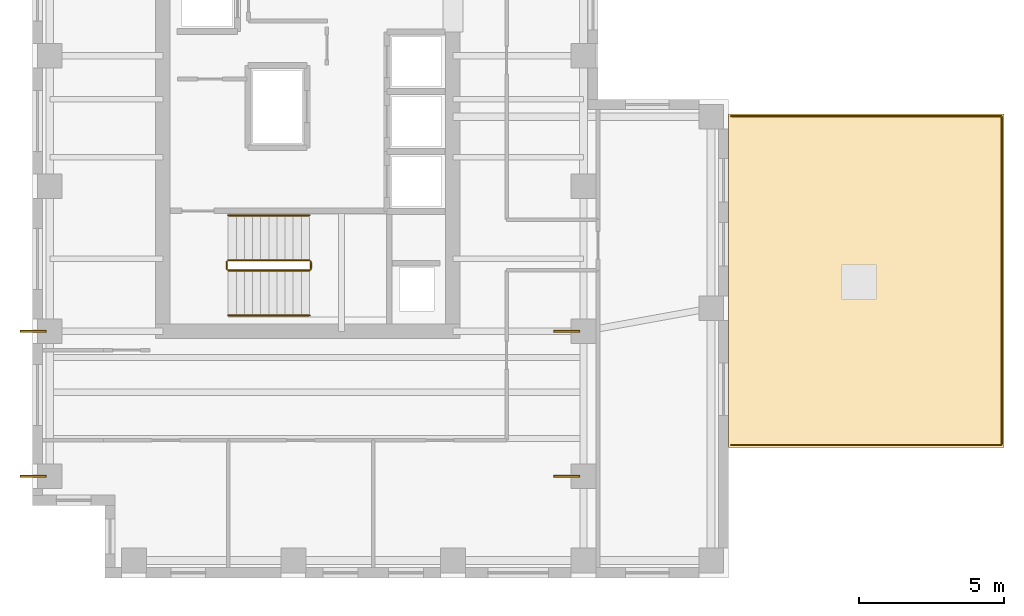
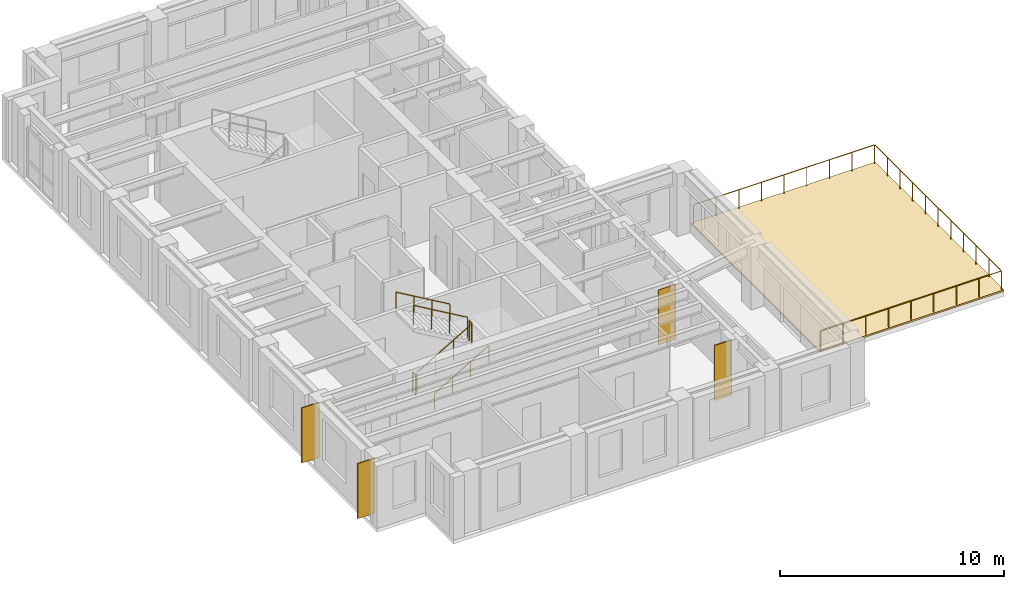
# One storey, part 10 of 11: 7 railings, 5 coverings.
"""IFC4 building model written with IfcOpenShell, lengths in metres."""

import ifcopenshell
import ifcopenshell.guid

model = None  # the IFC model being written
_history = None  # IfcOwnerHistory: only IFC2X3 demands one
_inside = {}  # id of a spatial element -> (the spatial element, [elements in it])
_under = {}  # id of a project, library or spatial element -> (it, [spatial elements below it])
_declared = {}  # id of a project -> (the project, [libraries it declares])
_typed = {}  # id of a type object -> (the type object, [elements of that type])
_made_of = {}  # id of a material, layer set ... -> (it, [elements and type objects made of it])


def new_model(schema):
    """Start an empty IFC model of exactly this schema.

    Asked for "IFC4X3", IfcOpenShell would pick the latest addendum, in which some entities
    have other attributes; the version numbers below select the first issue.
    IFC2X3 requires an IfcOwnerHistory on every rooted entity: one is made here for all.
    """
    global model, _history
    if schema == "IFC4X3":
        model = ifcopenshell.file(schema_version=(4, 3, 0, 0))
    else:
        model = ifcopenshell.file(schema=schema)
    _inside.clear()
    _under.clear()
    _declared.clear()
    _typed.clear()
    _made_of.clear()
    _history = None
    if model.schema == "IFC2X3":
        org = make("IfcOrganization", Name="unknown")
        user = make(
            "IfcPersonAndOrganization",
            ThePerson=make("IfcPerson", FamilyName="unknown"),
            TheOrganization=org,
        )
        app = make(
            "IfcApplication",
            ApplicationDeveloper=org,
            Version="unknown",
            ApplicationFullName="unknown",
            ApplicationIdentifier="unknown",
        )
        _history = make(
            "IfcOwnerHistory",
            OwningUser=user,
            OwningApplication=app,
            ChangeAction="ADDED",
            CreationDate=0,
        )
    return model


def make(cls, **values):
    """One entity of the class cls with the attributes given. An attribute that is None is left unset."""
    return model.create_entity(
        cls, **{name: value for name, value in values.items() if value is not None}
    )


def rooted(cls, **values):
    """An entity with a GlobalId (a new one), such as an element, a storey or a relation."""
    return make(cls, GlobalId=ifcopenshell.guid.new(), OwnerHistory=_history, **values)


def si_unit(unit_type, name, prefix=None):
    """IfcSIUnit, for example si_unit("LENGTHUNIT", "METRE", prefix="MILLI")."""
    return make("IfcSIUnit", UnitType=unit_type, Prefix=prefix, Name=name)


def assignment(units):
    """IfcUnitAssignment: the units of a project."""
    return None if units is None else make("IfcUnitAssignment", Units=units)


def point(xyz):
    """IfcCartesianPoint."""
    return None if xyz is None else make("IfcCartesianPoint", Coordinates=xyz)


def direction(xyz):
    """IfcDirection."""
    return None if xyz is None else make("IfcDirection", DirectionRatios=xyz)


def frame(location, z_axis=None, x_axis=None):
    """IfcAxis2Placement3D, a coordinate frame: its origin and axes. An axis left out is left unset."""
    return make(
        "IfcAxis2Placement3D",
        Location=point(location),
        Axis=direction(z_axis),
        RefDirection=direction(x_axis),
    )


def frame_2d(location, x_axis=None):
    """IfcAxis2Placement2D, a coordinate frame in the plane: its origin and x axis."""
    return make(
        "IfcAxis2Placement2D", Location=point(location), RefDirection=direction(x_axis)
    )


def origin():
    """The frame at (0, 0, 0) with its axes left unset."""
    return frame((0.0, 0.0, 0.0))


def origin_2d():
    """The frame at (0, 0) in the plane with its x axis left unset."""
    return frame_2d((0.0, 0.0))


def place(relative_to, where):
    """IfcLocalPlacement: puts the frame where relative to a parent placement (None: the world)."""
    return make(
        "IfcLocalPlacement", PlacementRelTo=relative_to, RelativePlacement=where
    )


def context(
    kind, dimensions, precision=None, world=None, true_north=None, identifier=None
):
    """IfcGeometricRepresentationContext, for example the 3D "Model" context."""
    return make(
        "IfcGeometricRepresentationContext",
        ContextIdentifier=identifier,
        ContextType=kind,
        CoordinateSpaceDimension=dimensions,
        Precision=precision,
        WorldCoordinateSystem=world,
        TrueNorth=true_north,
    )


def subcontext(parent, identifier, kind, view, scale=None):
    """IfcGeometricRepresentationSubContext, for example "Body" below "Model"."""
    return make(
        "IfcGeometricRepresentationSubContext",
        ContextIdentifier=identifier,
        ContextType=kind,
        ParentContext=parent,
        TargetScale=scale,
        TargetView=view,
    )


def project(units=None, contexts=None):
    """IfcProject with its units and contexts."""
    return rooted(
        "IfcProject",
        Name="project",
        RepresentationContexts=contexts,
        UnitsInContext=assignment(units),
    )


def spatial(cls, under=None, at=None, **own):
    """A site, building, storey or space (cls), placed at a placement, below another one or the project."""
    s = rooted(cls, ObjectPlacement=at, **own)
    if under is not None:
        _under.setdefault(under.id(), (under, []))[1].append(s)
    return s


def polyline(points):
    """IfcPolyline through the points."""
    return make("IfcPolyline", Points=[point(p) for p in points])


def profile(cls, at=None, kind="AREA", **sizes):
    """A parametric profile (cls). Its sizes go by their IFC names, for example OverallWidth=200.0."""
    return make(cls, ProfileType=kind, Position=at, **sizes)


def rectangle(**sizes):
    """IfcRectangleProfileDef."""
    return profile("IfcRectangleProfileDef", **sizes)


def circle(**sizes):
    """IfcCircleProfileDef."""
    return profile("IfcCircleProfileDef", **sizes)


def outline(outer, holes=None, kind="AREA"):
    """IfcArbitraryClosedProfileDef: a profile drawn as a closed curve; with holes, ...WithVoids."""
    if holes is None:
        return make("IfcArbitraryClosedProfileDef", ProfileType=kind, OuterCurve=outer)
    return make(
        "IfcArbitraryProfileDefWithVoids",
        ProfileType=kind,
        OuterCurve=outer,
        InnerCurves=holes,
    )


def extrude(swept, where, along, depth):
    """IfcExtrudedAreaSolid: the profile swept, set in the frame where, extruded along a direction by depth."""
    return make(
        "IfcExtrudedAreaSolid",
        SweptArea=swept,
        Position=where,
        ExtrudedDirection=direction(along),
        Depth=depth,
    )


def shape(context_of_items, identifier, shape_type, items):
    """IfcShapeRepresentation: the items that make up one representation, for example the "Body"."""
    return make(
        "IfcShapeRepresentation",
        ContextOfItems=context_of_items,
        RepresentationIdentifier=identifier,
        RepresentationType=shape_type,
        Items=items,
    )


def source(mapping_origin, context_of_items, identifier, shape_type, items):
    """IfcRepresentationMap: a shape defined once, which mapped items show again and again."""
    return make(
        "IfcRepresentationMap",
        MappingOrigin=mapping_origin,
        MappedRepresentation=shape(context_of_items, identifier, shape_type, items),
    )


def transform(
    local_origin,
    x_axis=None,
    y_axis=None,
    z_axis=None,
    scale=None,
    scale2=None,
    scale3=None,
    uniform=True,
):
    """IfcCartesianTransformationOperator3D, or its non-uniform kind. x_axis, y_axis, z_axis: its Axis1, 2, 3."""
    if uniform:
        return make(
            "IfcCartesianTransformationOperator3D",
            Axis1=direction(x_axis),
            Axis2=direction(y_axis),
            LocalOrigin=point(local_origin),
            Scale=scale,
            Axis3=direction(z_axis),
        )
    return make(
        "IfcCartesianTransformationOperator3DnonUniform",
        Axis1=direction(x_axis),
        Axis2=direction(y_axis),
        LocalOrigin=point(local_origin),
        Scale=scale,
        Axis3=direction(z_axis),
        Scale2=scale2,
        Scale3=scale3,
    )


def mapped(mapping_source, mapping_target):
    """IfcMappedItem: shows the shape of a source again, moved by a transform."""
    return make(
        "IfcMappedItem", MappingSource=mapping_source, MappingTarget=mapping_target
    )


def material(Name=None, Category=None):
    """IfcMaterial."""
    return make("IfcMaterial", Name=Name, Category=Category)


def layer(
    of_material, thickness, ventilated=None, Name=None, Category=None, Priority=None
):
    """IfcMaterialLayer: one layer of a wall or slab, of a material (None: an air gap)."""
    return make(
        "IfcMaterialLayer",
        Material=of_material,
        LayerThickness=thickness,
        IsVentilated=ventilated,
        Name=Name,
        Category=Category,
        Priority=Priority,
    )


def layer_set(layers, Name=None):
    """IfcMaterialLayerSet."""
    return make("IfcMaterialLayerSet", MaterialLayers=layers, LayerSetName=Name)


def made_of(thing, what):
    """Note that an element or type object is made of a material, layer set ...; save() writes the relation."""
    if what is not None:
        _made_of.setdefault(what.id(), (what, []))[1].append(thing)
    return thing


def type_object(cls, material=None, **own):
    """A type object (cls), such as IfcWallType, which elements share."""
    return made_of(rooted(cls, **own), material)


def element(
    cls,
    number,
    at=None,
    inside=None,
    cuts=None,
    type_object=None,
    material=None,
    context=None,
    identifier="Body",
    shape_type=None,
    held_by="IfcProductDefinitionShape",
    body=None,
    shapes=None,
    **own,
):
    """One element of the class cls, such as IfcWall. Its Tag is "e" and its number.

    at: its placement. inside: the storey or other place that contains it. cuts: it is an
    opening in that element (IfcRelVoidsElement). A single representation is given by context,
    identifier, shape_type and body (its items); several are given by shapes. held_by: the class
    of the entity that holds the representations. save() writes the other relations.
    """
    e = rooted(cls, Tag="e%d" % number, ObjectPlacement=at, **own)
    if body is not None:
        shapes = [shape(context, identifier, shape_type, body)]
    if shapes is not None:
        e.Representation = make(held_by, Representations=shapes)
    if inside is not None:
        _inside.setdefault(inside.id(), (inside, []))[1].append(e)
    if cuts is not None:
        rooted(
            "IfcRelVoidsElement", RelatingBuildingElement=cuts, RelatedOpeningElement=e
        )
    if type_object is not None:
        _typed.setdefault(type_object.id(), (type_object, []))[1].append(e)
    return made_of(e, material)


def aggregate(whole, parts):
    """IfcRelAggregates: a whole, such as a stair, and the parts it consists of."""
    return rooted("IfcRelAggregates", RelatingObject=whole, RelatedObjects=parts)


def save(model, path):
    """Write the relations noted so far, then the file.

    IfcRelAggregates (storeys below a building ...), IfcRelContainedInSpatialStructure (elements
    in a storey), IfcRelDefinesByType, IfcRelAssociatesMaterial and IfcRelDeclares: one each for
    every whole, place, type object, material and project.
    """
    for whole, parts in _under.values():
        aggregate(whole, parts)
    for where, things in _inside.values():
        rooted(
            "IfcRelContainedInSpatialStructure",
            RelatedElements=things,
            RelatingStructure=where,
        )
    for kind, things in _typed.values():
        rooted("IfcRelDefinesByType", RelatedObjects=things, RelatingType=kind)
    for what, things in _made_of.values():
        rooted("IfcRelAssociatesMaterial", RelatedObjects=things, RelatingMaterial=what)
    for by, libraries in _declared.values():
        rooted("IfcRelDeclares", RelatingContext=by, RelatedDefinitions=libraries)
    model.write(path)


model = new_model("IFC4")

# Units and contexts
model_context = context("Model", 3, precision=1e-05, world=origin(), true_north=direction((0.0, 1.0)))
body_context = subcontext(model_context, "Body", "Model", "MODEL_VIEW")
ifc_project = project(units=[si_unit("LENGTHUNIT", "METRE"), si_unit("AREAUNIT", "SQUARE_METRE"), si_unit("VOLUMEUNIT", "CUBIC_METRE"), si_unit("PLANEANGLEUNIT", "RADIAN"), si_unit("MASSUNIT", "GRAM", prefix="KILO")], contexts=[model_context])

# Site, building, storey
site_placement = place(None, origin())
site = spatial("IfcSite", under=ifc_project, at=site_placement, CompositionType="ELEMENT")
building_placement = place(site_placement, origin())
building = spatial("IfcBuilding", under=site, at=building_placement, Name="Kharzan Plaza Tower", CompositionType="ELEMENT")
storey_placement = place(building_placement, frame((0.0, 0.0, 262.800048828125)))
storey = spatial("IfcBuildingStorey", under=building, at=storey_placement, Name="L71", CompositionType="ELEMENT", Elevation=262.800048828125)

# Covering
ifc_material_1 = material(Name="Inverted EPDM Waterproofing and Gravel Ballast", Category="membrane")
ifc_layer_1 = layer(ifc_material_1, 0.0849609375)
ifc_layer_set_1 = layer_set([ifc_layer_1], Name="Inverted EPDM Waterproofing and Gravel Ballast")
covering_type_1 = type_object("IfcCoveringType", Name="COV-ROOF-MEMB", PredefinedType="ROOFING", material=ifc_layer_set_1)
covering_placement = place(storey_placement, origin())
element("IfcCovering", 1, at=covering_placement, inside=storey, type_object=covering_type_1, Name="L71 Terrace Waterproofing Covering", PredefinedType="ROOFING", context=body_context, shape_type="SweptSolid", body=[
    extrude(outline(polyline([(24.0, 4.5), (33.5, 4.5), (33.5, 16.0), (24.0, 16.0), (24.0, 4.5)])), origin(), (0.0, 0.0, 1.0), 0.0849609375),
])

# Railings
ifc_material_2 = material(Name="Painted Galvanized Architectural Steel", Category="steel")
ifc_layer_2 = layer(ifc_material_2, 0.074951171875)
ifc_layer_set_2 = layer_set([ifc_layer_2], Name="Painted Galvanized Architectural Steel")
railing_type_1 = type_object("IfcRailingType", Name="RL-GUARD-1120", PredefinedType="BALUSTRADE", material=ifc_layer_set_2)
shared_shape_1 = source(origin(), body_context, "Body", "SweptSolid", [
    extrude(circle(Radius=0.02392578125, at=origin_2d()), frame((0.0, 0.0263671875, 1.09619140625), z_axis=(0.0, 1.0, 0.0), x_axis=(-1.0, 0.0, 0.0)), (0.0, 0.0, 1.0), 0.197021484375),
    extrude(circle(Radius=0.02099609375, at=origin_2d()), origin(), (0.0, 0.0, 1.0), 1.072021484375),
    extrude(circle(Radius=0.02099609375, at=origin_2d()), frame((0.0, 0.25, 0.0)), (0.0, 0.0, 1.0), 1.072021484375),
])
for number, where, name in (
    (2, (9.60009765625, 10.64990234375, 1.800048828125), "L71 ST-1 stair guard 2"),
    (3, (6.699951171875, 10.64990234375, 0.0), "L71 ST-1 stair guard 4"),
):
    element("IfcRailing", number, at=place(storey_placement, frame(where)), inside=storey, type_object=railing_type_1, Name=name, PredefinedType="BALUSTRADE", context=body_context, shape_type="MappedRepresentation", body=[
        mapped(shared_shape_1, transform((0.0, 0.0, 0.0), x_axis=(1.0, 0.0, 0.0), y_axis=(0.0, 1.0, 0.0), z_axis=(0.0, 0.0, 1.0))),
    ])

# Coverings
ifc_material_3 = material(Name="Honed Riyadh Limestone", Category="masonry")
ifc_layer_3 = layer(ifc_material_3, 0.06005859375)
ifc_layer_set_3 = layer_set([ifc_layer_3], Name="Honed Riyadh Limestone")
covering_type_2 = type_object("IfcCoveringType", Name="COV-CLAD-STONE", PredefinedType="CLADDING", material=ifc_layer_set_3)
shared_shape_2 = source(origin(), body_context, "Body", "SweptSolid", [
    extrude(rectangle(XDim=0.06005859375, YDim=0.89990234375, at=origin_2d()), origin(), (0.0, 0.0, 1.0), 3.0),
])
for number, where, z_axis, x_axis, name in (
    (4, (18.419921875, 3.5, 0.099853515625), (0.0, 0.0, 1.0), (0.0, 1.0, 0.0), "L71 Limestone Pier Rainscreen Cladding TCA-35"),
    (5, (18.419921875, 8.5, 0.099853515625), (0.0, 0.0, 1.0), (0.0, 1.0, 0.0), "L71 Limestone Pier Rainscreen Cladding TCA-85"),
    (6, (0.02001953125, 3.5, 0.099853515625), (0.0, 0.0, 1.0), (0.0, 1.0, 0.0), "L71 Limestone Pier Rainscreen Cladding TCW-35"),
    (7, (0.02001953125, 8.5, 0.099853515625), (0.0, 0.0, 1.0), (0.0, 1.0, 0.0), "L71 Limestone Pier Rainscreen Cladding TCW-85"),
):
    element("IfcCovering", number, at=place(storey_placement, frame(where, z_axis=z_axis, x_axis=x_axis)), inside=storey, type_object=covering_type_2, Name=name, PredefinedType="CLADDING", context=body_context, shape_type="MappedRepresentation", body=[
        mapped(shared_shape_2, transform((0.0, 0.0, 0.0), x_axis=(1.0, 0.0, 0.0), y_axis=(0.0, 1.0, 0.0), z_axis=(0.0, 0.0, 1.0))),
    ])

# Railings
shared_shape_3 = source(origin(), body_context, "Body", "SweptSolid", [
    extrude(circle(Radius=0.02392578125, at=origin_2d()), frame((0.02294921875, 0.0, 1.109375), z_axis=(0.863360870873, 0.0, 0.504586966384), x_axis=(0.0, 1.0, 0.0)), (0.0, 0.0, 1.0), 3.190185546875),
    extrude(circle(Radius=0.02099609375, at=origin_2d()), origin(), (0.0, 0.0, 1.0), 1.072021484375),
    extrude(circle(Radius=0.02099609375, at=origin_2d()), frame((0.933349609375, 0.0, 0.54541015625)), (0.0, 0.0, 1.0), 1.072021484375),
    extrude(circle(Radius=0.02099609375, at=origin_2d()), frame((1.86669921875, 0.0, 1.091064453125)), (0.0, 0.0, 1.0), 1.072021484375),
    extrude(circle(Radius=0.02099609375, at=origin_2d()), frame((2.800048828125, 0.0, 1.636474609375)), (0.0, 0.0, 1.0), 1.072021484375),
])
railing_1_placement = place(storey_placement, frame((6.75, 10.60009765625, 0.16357421875)))
element("IfcRailing", 8, at=railing_1_placement, inside=storey, type_object=railing_type_1, Name="L71 ST-1 stair guard 1", PredefinedType="BALUSTRADE", context=body_context, shape_type="MappedRepresentation", body=[
    mapped(shared_shape_3, transform((0.0, 0.0, 0.0), x_axis=(1.0, 0.0, 0.0), y_axis=(0.0, 1.0, 0.0), z_axis=(0.0, 0.0, 1.0))),
])
ifc_material_4 = material(Name="Brushed Stainless Steel", Category="steel")
ifc_layer_4 = layer(ifc_material_4, 0.050048828125)
ifc_layer_set_4 = layer_set([ifc_layer_4], Name="Brushed Stainless Steel")
railing_type_2 = type_object("IfcRailingType", Name="RL-STAIR-HR920", PredefinedType="HANDRAIL", material=ifc_layer_set_4)
shared_shape_4 = source(origin(), body_context, "Body", "SweptSolid", [
    extrude(circle(Radius=0.02392578125, at=origin_2d()), frame((0.02294921875, 0.0, 0.88916015625), z_axis=(0.863360870873, 0.0, 0.504586966384), x_axis=(0.0, 1.0, 0.0)), (0.0, 0.0, 1.0), 3.190185546875),
    extrude(circle(Radius=0.02099609375, at=origin_2d()), origin(), (0.0, 0.0, 1.0), 0.851806640625),
    extrude(circle(Radius=0.02099609375, at=origin_2d()), frame((0.933349609375, 0.0, 0.54541015625)), (0.0, 0.0, 1.0), 0.851806640625),
    extrude(circle(Radius=0.02099609375, at=origin_2d()), frame((1.86669921875, 0.0, 1.091064453125)), (0.0, 0.0, 1.0), 0.851806640625),
    extrude(circle(Radius=0.02099609375, at=origin_2d()), frame((2.800048828125, 0.0, 1.636474609375)), (0.0, 0.0, 1.0), 0.851806640625),
])
railing_2_placement = place(storey_placement, frame((6.75, 9.050048828125, 0.16357421875)))
element("IfcRailing", 9, at=railing_2_placement, inside=storey, type_object=railing_type_2, Name="L71 ST-1 stair handrail 1", PredefinedType="HANDRAIL", context=body_context, shape_type="MappedRepresentation", body=[
    mapped(shared_shape_4, transform((0.0, 0.0, 0.0), x_axis=(1.0, 0.0, 0.0), y_axis=(0.0, 1.0, 0.0), z_axis=(0.0, 0.0, 1.0))),
])
shared_shape_5 = source(origin(), body_context, "Body", "SweptSolid", [
    extrude(circle(Radius=0.02392578125, at=origin_2d()), frame((-0.02294921875, 0.0, 1.109375), z_axis=(-0.863393664356, 0.0, 0.504530851732), x_axis=(0.0, -1.0, 0.0)), (0.0, 0.0, 1.0), 3.190185546875),
    extrude(circle(Radius=0.02099609375, at=origin_2d()), origin(), (0.0, 0.0, 1.0), 1.072021484375),
    extrude(circle(Radius=0.02099609375, at=origin_2d()), frame((-0.933349609375, 0.0, 0.54541015625)), (0.0, 0.0, 1.0), 1.072021484375),
    extrude(circle(Radius=0.02099609375, at=origin_2d()), frame((-1.86669921875, 0.0, 1.0908203125)), (0.0, 0.0, 1.0), 1.072021484375),
    extrude(circle(Radius=0.02099609375, at=origin_2d()), frame((-2.800048828125, 0.0, 1.63623046875)), (0.0, 0.0, 1.0), 1.072021484375),
])
railing_3_placement = place(storey_placement, frame((9.550048828125, 10.949951171875, 1.963623046875)))
element("IfcRailing", 10, at=railing_3_placement, inside=storey, type_object=railing_type_1, Name="L71 ST-1 stair guard 3", PredefinedType="BALUSTRADE", context=body_context, shape_type="MappedRepresentation", body=[
    mapped(shared_shape_5, transform((0.0, 0.0, 0.0), x_axis=(1.0, 0.0, 0.0), y_axis=(0.0, 1.0, 0.0), z_axis=(0.0, 0.0, 1.0))),
])
shared_shape_6 = source(origin(), body_context, "Body", "SweptSolid", [
    extrude(circle(Radius=0.02392578125, at=origin_2d()), frame((-0.02294921875, 0.0, 0.88916015625), z_axis=(-0.863393664356, 0.0, 0.504530851732), x_axis=(0.0, -1.0, 0.0)), (0.0, 0.0, 1.0), 3.190185546875),
    extrude(circle(Radius=0.02099609375, at=origin_2d()), origin(), (0.0, 0.0, 1.0), 0.851806640625),
    extrude(circle(Radius=0.02099609375, at=origin_2d()), frame((-0.933349609375, 0.0, 0.54541015625)), (0.0, 0.0, 1.0), 0.851806640625),
    extrude(circle(Radius=0.02099609375, at=origin_2d()), frame((-1.86669921875, 0.0, 1.0908203125)), (0.0, 0.0, 1.0), 0.851806640625),
    extrude(circle(Radius=0.02099609375, at=origin_2d()), frame((-2.800048828125, 0.0, 1.63623046875)), (0.0, 0.0, 1.0), 0.851806640625),
])
railing_4_placement = place(storey_placement, frame((9.550048828125, 12.5, 1.963623046875)))
element("IfcRailing", 11, at=railing_4_placement, inside=storey, type_object=railing_type_2, Name="L71 ST-1 stair handrail 2", PredefinedType="HANDRAIL", context=body_context, shape_type="MappedRepresentation", body=[
    mapped(shared_shape_6, transform((0.0, 0.0, 0.0), x_axis=(1.0, 0.0, 0.0), y_axis=(0.0, 1.0, 0.0), z_axis=(0.0, 0.0, 1.0))),
])
shared_shape_7 = source(origin(), body_context, "Body", "SweptSolid", [
    extrude(circle(Radius=0.02392578125, at=origin_2d()), frame((0.0263671875, 0.0, 1.09619140625), z_axis=(1.0, 0.0, 0.0), x_axis=(0.0, 1.0, 0.0)), (0.0, 0.0, 1.0), 9.286865234375),
    extrude(circle(Radius=0.02392578125, at=origin_2d()), frame((9.33984375, 0.0263671875, 1.09619140625), z_axis=(0.0, 1.0, 0.0), x_axis=(-1.0, 0.0, 0.0)), (0.0, 0.0, 1.0), 11.286865234375),
    extrude(circle(Radius=0.02392578125, at=origin_2d()), frame((9.3134765625, 11.33984375, 1.09619140625), z_axis=(-1.0, 0.0, 0.0), x_axis=(0.0, -1.0, 0.0)), (0.0, 0.0, 1.0), 9.286865234375),
    extrude(circle(Radius=0.02099609375, at=origin_2d()), origin(), (0.0, 0.0, 1.0), 1.072021484375),
    extrude(circle(Radius=0.02099609375, at=origin_2d()), frame((1.16748046875, 0.0, 0.0)), (0.0, 0.0, 1.0), 1.072021484375),
    extrude(circle(Radius=0.02099609375, at=origin_2d()), frame((2.3349609375, 0.0, 0.0)), (0.0, 0.0, 1.0), 1.072021484375),
    extrude(circle(Radius=0.02099609375, at=origin_2d()), frame((3.50244140625, 0.0, 0.0)), (0.0, 0.0, 1.0), 1.072021484375),
    extrude(circle(Radius=0.02099609375, at=origin_2d()), frame((4.669921875, 0.0, 0.0)), (0.0, 0.0, 1.0), 1.072021484375),
    extrude(circle(Radius=0.02099609375, at=origin_2d()), frame((5.83740234375, 0.0, 0.0)), (0.0, 0.0, 1.0), 1.072021484375),
    extrude(circle(Radius=0.02099609375, at=origin_2d()), frame((7.0048828125, 0.0, 0.0)), (0.0, 0.0, 1.0), 1.072021484375),
    extrude(circle(Radius=0.02099609375, at=origin_2d()), frame((8.17236328125, 0.0, 0.0)), (0.0, 0.0, 1.0), 1.072021484375),
    extrude(circle(Radius=0.02099609375, at=origin_2d()), frame((9.33984375, 0.0, 0.0)), (0.0, 0.0, 1.0), 1.072021484375),
    extrude(circle(Radius=0.02099609375, at=origin_2d()), frame((9.33984375, 1.134033203125, 0.0)), (0.0, 0.0, 1.0), 1.072021484375),
    extrude(circle(Radius=0.02099609375, at=origin_2d()), frame((9.33984375, 2.26806640625, 0.0)), (0.0, 0.0, 1.0), 1.072021484375),
    extrude(circle(Radius=0.02099609375, at=origin_2d()), frame((9.33984375, 3.40185546875, 0.0)), (0.0, 0.0, 1.0), 1.072021484375),
    extrude(circle(Radius=0.02099609375, at=origin_2d()), frame((9.33984375, 4.535888671875, 0.0)), (0.0, 0.0, 1.0), 1.072021484375),
    extrude(circle(Radius=0.02099609375, at=origin_2d()), frame((9.33984375, 5.669921875, 0.0)), (0.0, 0.0, 1.0), 1.072021484375),
    extrude(circle(Radius=0.02099609375, at=origin_2d()), frame((9.33984375, 6.803955078125, 0.0)), (0.0, 0.0, 1.0), 1.072021484375),
    extrude(circle(Radius=0.02099609375, at=origin_2d()), frame((9.33984375, 7.93798828125, 0.0)), (0.0, 0.0, 1.0), 1.072021484375),
    extrude(circle(Radius=0.02099609375, at=origin_2d()), frame((9.33984375, 9.07177734375, 0.0)), (0.0, 0.0, 1.0), 1.072021484375),
    extrude(circle(Radius=0.02099609375, at=origin_2d()), frame((9.33984375, 10.205810546875, 0.0)), (0.0, 0.0, 1.0), 1.072021484375),
    extrude(circle(Radius=0.02099609375, at=origin_2d()), frame((9.33984375, 11.33984375, 0.0)), (0.0, 0.0, 1.0), 1.072021484375),
    extrude(circle(Radius=0.02099609375, at=origin_2d()), frame((8.17236328125, 11.33984375, 0.0)), (0.0, 0.0, 1.0), 1.072021484375),
    extrude(circle(Radius=0.02099609375, at=origin_2d()), frame((7.0048828125, 11.33984375, 0.0)), (0.0, 0.0, 1.0), 1.072021484375),
    extrude(circle(Radius=0.02099609375, at=origin_2d()), frame((5.83740234375, 11.33984375, 0.0)), (0.0, 0.0, 1.0), 1.072021484375),
    extrude(circle(Radius=0.02099609375, at=origin_2d()), frame((4.669921875, 11.33984375, 0.0)), (0.0, 0.0, 1.0), 1.072021484375),
    extrude(circle(Radius=0.02099609375, at=origin_2d()), frame((3.50244140625, 11.33984375, 0.0)), (0.0, 0.0, 1.0), 1.072021484375),
    extrude(circle(Radius=0.02099609375, at=origin_2d()), frame((2.3349609375, 11.33984375, 0.0)), (0.0, 0.0, 1.0), 1.072021484375),
    extrude(circle(Radius=0.02099609375, at=origin_2d()), frame((1.16748046875, 11.33984375, 0.0)), (0.0, 0.0, 1.0), 1.072021484375),
    extrude(circle(Radius=0.02099609375, at=origin_2d()), frame((0.0, 11.33984375, 0.0)), (0.0, 0.0, 1.0), 1.072021484375),
])
railing_5_placement = place(storey_placement, frame((24.080078125, 4.580078125, 0.0)))
element("IfcRailing", 12, at=railing_5_placement, inside=storey, type_object=railing_type_1, Name="L71 Setback Roof Terrace Perimeter Guard", PredefinedType="BALUSTRADE", context=body_context, shape_type="MappedRepresentation", body=[
    mapped(shared_shape_7, transform((0.0, 0.0, 0.0), x_axis=(1.0, 0.0, 0.0), y_axis=(0.0, 1.0, 0.0), z_axis=(0.0, 0.0, 1.0))),
])

save(model, "model.ifc")
